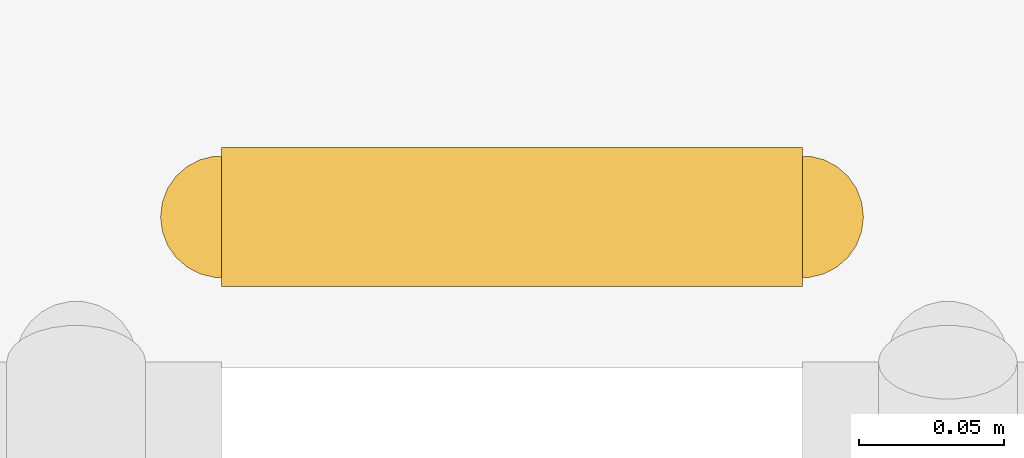
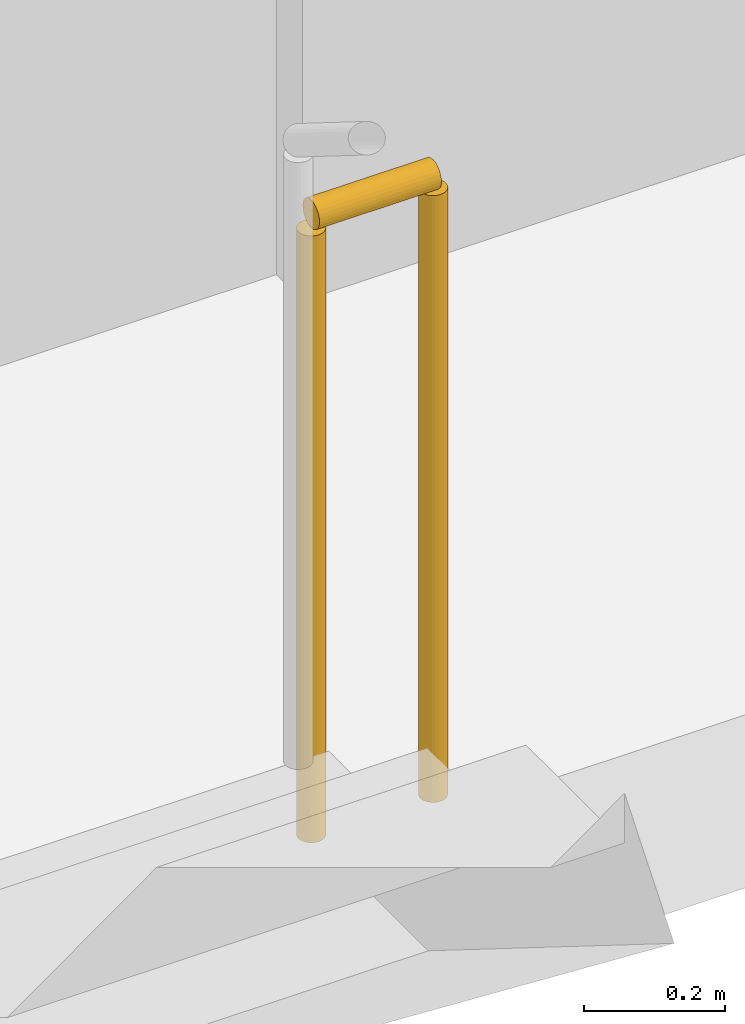
# One storey, part 21 of 21: 1 railing.
"""IFC4 building model written with IfcOpenShell, lengths in metres."""

from ifc_helpers import new_model, si_unit, direction, frame, origin, origin_2d, place, context, subcontext, project, spatial, circle, extrude, material, type_object, element, save


model = new_model("IFC4")

# Units and contexts
model_context = context("Model", 3, precision=1e-05, world=origin(), true_north=direction((0.0, 1.0)))
body_context = subcontext(model_context, "Body", "Model", "MODEL_VIEW")
ifc_project = project(units=[si_unit("LENGTHUNIT", "METRE"), si_unit("AREAUNIT", "SQUARE_METRE"), si_unit("VOLUMEUNIT", "CUBIC_METRE"), si_unit("PLANEANGLEUNIT", "RADIAN"), si_unit("MASSUNIT", "GRAM", prefix="KILO")], contexts=[model_context])

# Site, building, storey
site_placement = place(None, origin())
site = spatial("IfcSite", under=ifc_project, at=site_placement, CompositionType="ELEMENT")
building_placement = place(site_placement, origin())
building = spatial("IfcBuilding", under=site, at=building_placement, Name="Kiln Ring Residences", CompositionType="ELEMENT")
storey_placement = place(building_placement, frame((0.0, 0.0, 93.800048828125)))
storey = spatial("IfcBuildingStorey", under=building, at=storey_placement, Name="L23", CompositionType="ELEMENT", Elevation=93.800048828125)

# Railing
ifc_material = material(Name="Stainless steel", Category="steel")
railing_type = type_object("IfcRailingType", Name="CORE-STAIR-GUARD", PredefinedType="GUARDRAIL", material=ifc_material)
railing_placement = place(storey_placement, frame((22.0, 8.449951171875, 0.0)))
element("IfcRailing", 1, at=railing_placement, inside=storey, type_object=railing_type, Name="L23 E-STN stair guard 4", PredefinedType="GUARDRAIL", context=body_context, shape_type="SweptSolid", body=[
    extrude(circle(Radius=0.02392578125, at=origin_2d()), frame((0.0, 0.0, 1.076171875), z_axis=(1.0, 0.0, 0.0), x_axis=(0.0, 1.0, 0.0)), (0.0, 0.0, 1.0), 0.199951171875),
    extrude(circle(Radius=0.02099609375, at=origin_2d()), origin(), (0.0, 0.0, 1.0), 1.052001953125),
    extrude(circle(Radius=0.02099609375, at=origin_2d()), frame((0.199951171875, 0.0, 0.0)), (0.0, 0.0, 1.0), 1.052001953125),
])

save(model, "model.ifc")
